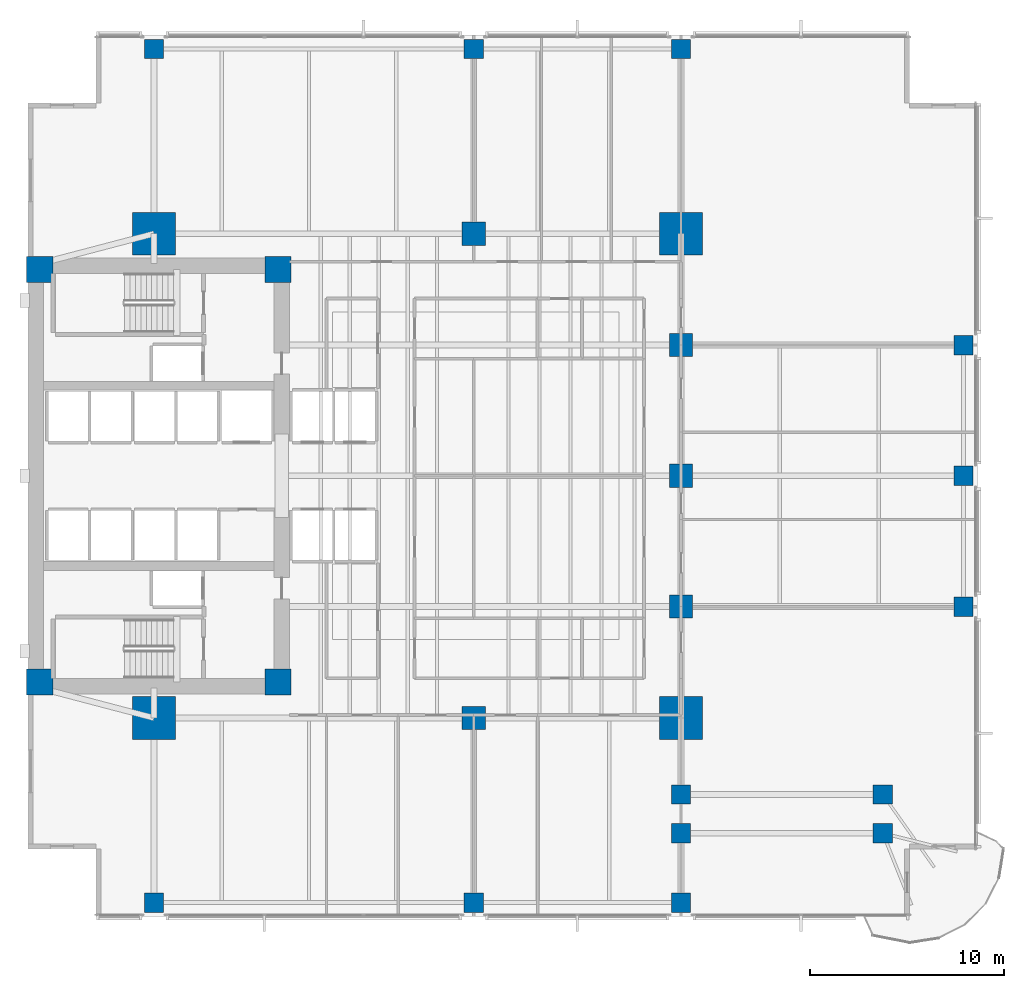
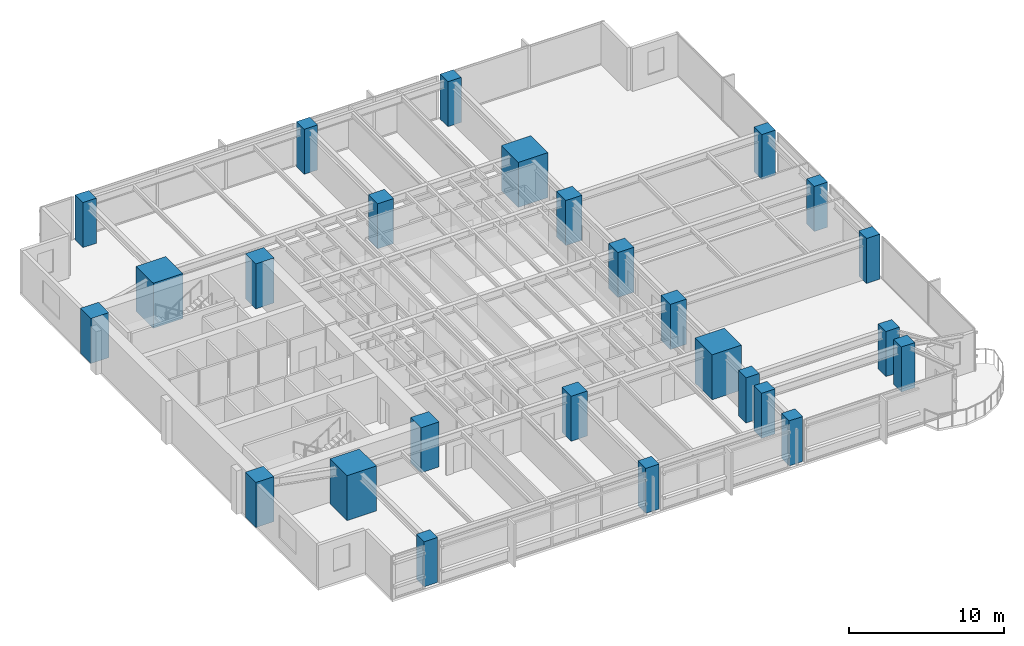
# One storey, part 1 of 16: 26 columns.
"""IFC4 building model written with IfcOpenShell, lengths in metres."""

from ifc_helpers import new_model, si_unit, direction, frame, origin, origin_2d, place, context, subcontext, project, spatial, rectangle, extrude, material, material_profile, profile_set, type_object, element, save


model = new_model("IFC4")

# Units and contexts
model_context = context("Model", 3, precision=1e-05, world=origin(), true_north=direction((0.0, 1.0)))
body_context = subcontext(model_context, "Body", "Model", "MODEL_VIEW")
ifc_project = project(units=[si_unit("LENGTHUNIT", "METRE"), si_unit("AREAUNIT", "SQUARE_METRE"), si_unit("VOLUMEUNIT", "CUBIC_METRE"), si_unit("PLANEANGLEUNIT", "RADIAN"), si_unit("MASSUNIT", "GRAM", prefix="KILO")], contexts=[model_context])

# Site, building, storey
site_placement = place(None, origin())
site = spatial("IfcSite", under=ifc_project, at=site_placement, CompositionType="ELEMENT")
building_placement = place(site_placement, origin())
building = spatial("IfcBuilding", under=site, at=building_placement, Name="Kinhvarn Gate Tower", CompositionType="ELEMENT")
storey_placement = place(building_placement, frame((0.0, 0.0, 82.39990234375)))
storey = spatial("IfcBuildingStorey", under=building, at=storey_placement, Name="L21", CompositionType="ELEMENT", Elevation=82.39990234375)

# Columns
ifc_material_1 = material(Name="Concrete C70/85", Category="concrete")
ifc_material_profile_1 = material_profile(ifc_material_1, rectangle(XDim=2.199951171875, YDim=2.199951171875, at=origin_2d()), Name="RC 2200x2200")
ifc_profile_set_1 = profile_set([ifc_material_profile_1], Name="Concrete C70/85")
column_type_1 = type_object("IfcColumnType", Name="COL-MC-2200", PredefinedType="COLUMN", material=ifc_profile_set_1)
for number, where, z_axis, x_axis, name in (
    (1, (11.0, 12.75, 0.0), (0.0, 0.0, 1.0), (1.0, 0.0, 0.0), "Column MC1-L21 (MC-22)"),
    (2, (11.0, 37.75, 0.0), (0.0, 0.0, 1.0), (1.0, 0.0, 0.0), "Column MC4-L21 (MC-22)"),
    (3, (38.199951171875, 12.75, 0.0), (0.0, 0.0, 1.0), (1.0, 0.0, 0.0), "Column MC2-L21 (MC-22)"),
    (4, (38.199951171875, 37.75, 0.0), (0.0, 0.0, 1.0), (1.0, 0.0, 0.0), "Column MC3-L21 (MC-22)"),
):
    element("IfcColumn", number, at=place(storey_placement, frame(where, z_axis=z_axis, x_axis=x_axis)), inside=storey, type_object=column_type_1, Name=name, PredefinedType="COLUMN", context=body_context, shape_type="SweptSolid", body=[
        extrude(rectangle(XDim=2.199951171875, YDim=2.199951171875, at=origin_2d()), origin(), (0.0, 0.0, 1.0), 3.550048828125),
    ])
ifc_material_2 = material(Name="Concrete C60/75", Category="concrete")
ifc_material_profile_2 = material_profile(ifc_material_2, rectangle(XDim=1.0, YDim=1.0, at=origin_2d()), Name="RC 1000x1000")
ifc_profile_set_2 = profile_set([ifc_material_profile_2], Name="Concrete C60/75")
column_type_2 = type_object("IfcColumnType", Name="COL-RC-1000", PredefinedType="COLUMN", material=ifc_profile_set_2)
for number, where, z_axis, x_axis, name in (
    (5, (48.6201171875, 6.800048828125, 0.0), (0.0, 0.0, 1.0), (1.0, 0.0, 0.0), "Column CS-SE1-L21 (C-100)"),
    (6, (38.199951171875, 6.800048828125, 0.0), (0.0, 0.0, 1.0), (1.0, 0.0, 0.0), "Column CS-ANC68-L21 (C-100)"),
    (7, (38.199951171875, 8.800048828125, 0.0), (0.0, 0.0, 1.0), (1.0, 0.0, 0.0), "Column CS-ANC88-L21 (C-100)"),
    (8, (48.6201171875, 8.800048828125, 0.0), (0.0, 0.0, 1.0), (1.0, 0.0, 0.0), "Column CS-SE1B-L21 (C-100)"),
    (9, (52.780029296875, 18.5, 0.0), (0.0, 0.0, 1.0), (1.0, 0.0, 0.0), "Column CE-1-L21 (C-100)"),
    (10, (52.780029296875, 25.25, 0.0), (0.0, 0.0, 1.0), (1.0, 0.0, 0.0), "Column CE-2-L21 (C-100)"),
    (11, (52.780029296875, 32.0, 0.0), (0.0, 0.0, 1.0), (1.0, 0.0, 0.0), "Column CE-3-L21 (C-100)"),
    (12, (11.0, 3.219970703125, 0.0), (0.0, 0.0, 1.0), (1.0, 0.0, 0.0), "Column CS-0-L21 (C-100)"),
    (13, (27.5, 3.219970703125, 0.0), (0.0, 0.0, 1.0), (1.0, 0.0, 0.0), "Column CS-1-L21 (C-100)"),
    (14, (38.199951171875, 3.219970703125, 0.0), (0.0, 0.0, 1.0), (1.0, 0.0, 0.0), "Column CS-2-L21 (C-100)"),
    (15, (11.0, 47.280029296875, 0.0), (0.0, 0.0, 1.0), (1.0, 0.0, 0.0), "Column CN-0-L21 (C-100)"),
    (16, (27.5, 47.280029296875, 0.0), (0.0, 0.0, 1.0), (1.0, 0.0, 0.0), "Column CN-1-L21 (C-100)"),
    (17, (38.199951171875, 47.280029296875, 0.0), (0.0, 0.0, 1.0), (1.0, 0.0, 0.0), "Column CN-2-L21 (C-100)"),
):
    element("IfcColumn", number, at=place(storey_placement, frame(where, z_axis=z_axis, x_axis=x_axis)), inside=storey, type_object=column_type_2, Name=name, PredefinedType="COLUMN", context=body_context, shape_type="SweptSolid", body=[
        extrude(rectangle(XDim=1.0, YDim=1.0, at=origin_2d()), origin(), (0.0, 0.0, 1.0), 3.550048828125),
    ])
ifc_material_profile_3 = material_profile(ifc_material_2, rectangle(XDim=1.199951171875, YDim=1.199951171875, at=origin_2d()), Name="RC 1200x1200")
ifc_profile_set_3 = profile_set([ifc_material_profile_3], Name="Concrete C60/75")
column_type_3 = type_object("IfcColumnType", Name="COL-RC-1200", PredefinedType="COLUMN", material=ifc_profile_set_3)
for number, where, z_axis, x_axis, name in (
    (18, (27.5, 12.75, 0.0), (0.0, 0.0, 1.0), (1.0, 0.0, 0.0), "Column SP27-S-L21 (C-120)"),
    (19, (27.5, 37.75, 0.0), (0.0, 0.0, 1.0), (1.0, 0.0, 0.0), "Column SP27-N-L21 (C-120)"),
    (20, (38.199951171875, 18.5, 0.0), (0.0, 0.0, 1.0), (1.0, 0.0, 0.0), "Column SP38-E1-L21 (C-120)"),
    (21, (38.199951171875, 25.25, 0.0), (0.0, 0.0, 1.0), (1.0, 0.0, 0.0), "Column SP38-E2-L21 (C-120)"),
    (22, (38.199951171875, 32.0, 0.0), (0.0, 0.0, 1.0), (1.0, 0.0, 0.0), "Column SP38-E3-L21 (C-120)"),
):
    element("IfcColumn", number, at=place(storey_placement, frame(where, z_axis=z_axis, x_axis=x_axis)), inside=storey, type_object=column_type_3, Name=name, PredefinedType="COLUMN", context=body_context, shape_type="SweptSolid", body=[
        extrude(rectangle(XDim=1.199951171875, YDim=1.199951171875, at=origin_2d()), origin(), (0.0, 0.0, 1.0), 3.550048828125),
    ])
ifc_material_profile_4 = material_profile(ifc_material_1, rectangle(XDim=1.35009765625, YDim=1.35009765625, at=origin_2d()), Name="RC 1350x1350")
ifc_profile_set_4 = profile_set([ifc_material_profile_4], Name="Concrete C70/85")
column_type_4 = type_object("IfcColumnType", Name="PIL-RC-1350", PredefinedType="PILASTER", material=ifc_profile_set_4)
for number, where, z_axis, x_axis, name in (
    (23, (5.10009765625, 14.60009765625, 0.0), (0.0, 0.0, 1.0), (1.0, 0.0, 0.0), "Column CC-SW-L21 (CP-135)"),
    (24, (5.10009765625, 35.89990234375, 0.0), (0.0, 0.0, 1.0), (1.0, 0.0, 0.0), "Column CC-NW-L21 (CP-135)"),
    (25, (17.39990234375, 14.60009765625, 0.0), (0.0, 0.0, 1.0), (1.0, 0.0, 0.0), "Column CC-SE-L21 (CP-135)"),
    (26, (17.39990234375, 35.89990234375, 0.0), (0.0, 0.0, 1.0), (1.0, 0.0, 0.0), "Column CC-NE-L21 (CP-135)"),
):
    element("IfcColumn", number, at=place(storey_placement, frame(where, z_axis=z_axis, x_axis=x_axis)), inside=storey, type_object=column_type_4, Name=name, PredefinedType="PILASTER", context=body_context, shape_type="SweptSolid", body=[
        extrude(rectangle(XDim=1.35009765625, YDim=1.35009765625, at=origin_2d()), origin(), (0.0, 0.0, 1.0), 3.550048828125),
    ])

save(model, "model.ifc")
